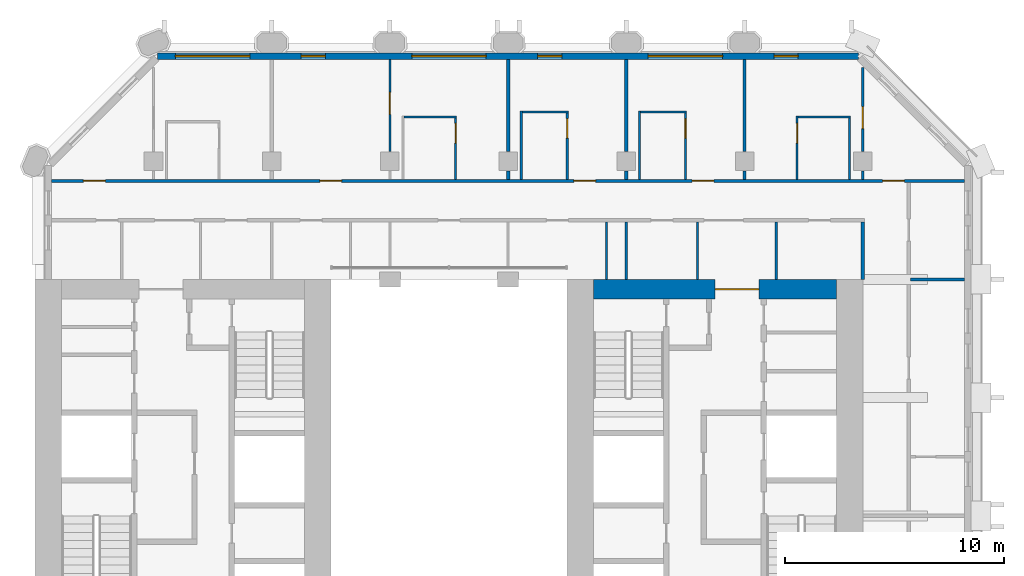
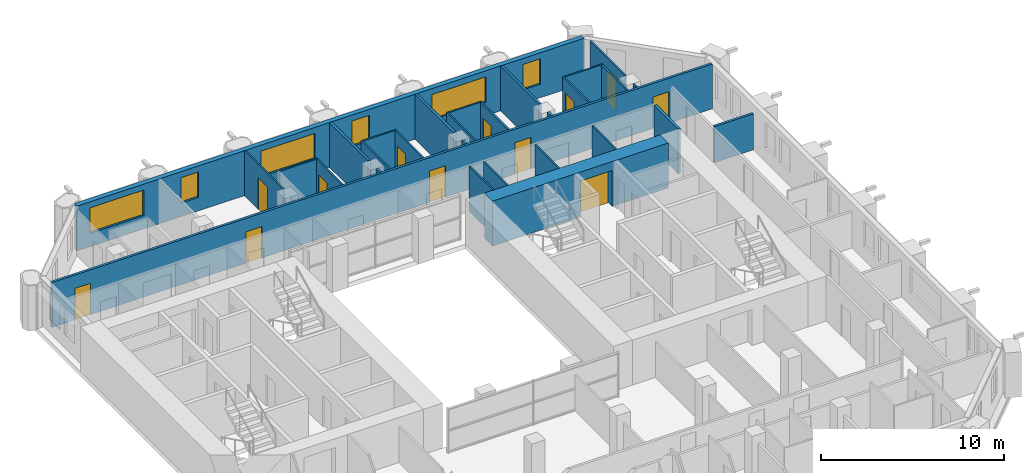
# One storey, part 10 of 13: 29 walls, 12 doors, 6 windows, 18 openings.
"""IFC4 building model written with IfcOpenShell, lengths in metres."""

from ifc_helpers import new_model, si_unit, direction, frame, frame_2d, origin, place, context, subcontext, project, spatial, rectangle, extrude, material, layer, layer_set, type_object, element, fill, save


model = new_model("IFC4")

# Units and contexts
model_context = context("Model", 3, precision=1e-05, world=origin(), true_north=direction((0.0, 1.0)))
body_context = subcontext(model_context, "Body", "Model", "MODEL_VIEW")
ifc_project = project(units=[si_unit("LENGTHUNIT", "METRE"), si_unit("AREAUNIT", "SQUARE_METRE"), si_unit("VOLUMEUNIT", "CUBIC_METRE"), si_unit("PLANEANGLEUNIT", "RADIAN"), si_unit("MASSUNIT", "GRAM", prefix="KILO")], contexts=[model_context])

# Site, building, storey
site_placement = place(None, origin())
site = spatial("IfcSite", under=ifc_project, at=site_placement, CompositionType="ELEMENT")
building_placement = place(site_placement, origin())
building = spatial("IfcBuilding", under=site, at=building_placement, Name="Tabaq Tower and Sports Hall", CompositionType="ELEMENT")
storey_placement = place(building_placement, frame((0.0, 0.0, 162.699951171875)))
storey = spatial("IfcBuildingStorey", under=building, at=storey_placement, Name="L38", CompositionType="ELEMENT", Elevation=162.699951171875)

# Wall, opening, door
ifc_material_1 = material(Name="Concrete C50/60", Category="concrete")
ifc_layer_1 = layer(ifc_material_1, 0.89990234375)
ifc_layer_set_1 = layer_set([ifc_layer_1], Name="Core wall 900 Concrete C50/60")
wall_type_1 = type_object("IfcWallType", Name="Core wall 900 Concrete C50/60", PredefinedType="SOLIDWALL", material=ifc_layer_set_1)
wall_1_placement = place(storey_placement, frame((30.89990234375, 31.949951171875, 0.0), z_axis=(0.0, 0.0, 1.0), x_axis=(1.0, 0.0, 0.0)))
wall_1 = element("IfcWall", 1, at=wall_1_placement, inside=storey, type_object=wall_type_1, Name="Core wall E L38", PredefinedType="SOLIDWALL", context=body_context, shape_type="SweptSolid", body=[
    extrude(rectangle(XDim=11.10009765625, YDim=0.89990234375, at=frame_2d((5.550048828125, 0.0))), origin(), (0.0, 0.0, 1.0), 3.0),
])
opening_1_placement = place(wall_1_placement, frame((5.550048828125, 0.0, 0.0)))
opening_1 = element("IfcOpeningElement", 2, at=opening_1_placement, cuts=wall_1, Name="Opening PD-EL38-02", PredefinedType="OPENING", context=body_context, shape_type="SweptSolid", body=[
    extrude(rectangle(XDim=2.0, YDim=2.39990234375, at=frame_2d((1.0, 1.199951171875))), frame((0.0, 0.449951171875, 0.0), z_axis=(0.0, -1.0, 0.0), x_axis=(1.0, 0.0, 0.0)), (0.0, 0.0, 1.0), 0.89990234375),
])
ifc_material_2 = material(Name="Steel fire door", Category="steel")
door_type_1 = type_object("IfcDoorType", Name="Core entrance door 2000", OperationType="DOUBLE_DOOR_SINGLE_SWING", PredefinedType="DOOR", material=ifc_material_2)
door_1_placement = place(opening_1_placement, origin())
door_1 = element("IfcDoor", 3, at=door_1_placement, inside=storey, type_object=door_type_1, Name="Core entrance north E L38", OperationType="DOUBLE_DOOR_SINGLE_SWING", OverallHeight=2.39990234375, OverallWidth=2.0, PredefinedType="DOOR", context=body_context, shape_type="SweptSolid", body=[
    extrude(rectangle(XDim=2.0, YDim=2.39990234375, at=frame_2d((1.0, 1.199951171875))), frame((0.0, 0.02490234375, 0.0), z_axis=(0.0, -1.0, 0.0), x_axis=(1.0, 0.0, 0.0)), (0.0, 0.0, 1.0), 0.050048828125),
])
fill(opening_1, door_1)

ifc_material_3 = material(Name="Gypsum board on steel studs", Category="steel")
ifc_layer_2 = layer(ifc_material_3, 0.10009765625)
ifc_layer_set_2 = layer_set([ifc_layer_2], Name="Partition 100 Gypsum board")
wall_type_2 = type_object("IfcWallType", Name="Partition 100 Gypsum board", PredefinedType="PARTITIONING", material=ifc_layer_set_2)
wall_2_placement = place(storey_placement, frame((21.60009765625, 42.448974609375, 0.0), z_axis=(0.0, 0.0, 1.0), x_axis=(0.0, -1.0, 0.0)))
wall_2 = element("IfcWall", 4, at=wall_2_placement, inside=storey, type_object=wall_type_2, Name="Partition wall L38", PredefinedType="PARTITIONING", context=body_context, shape_type="SweptSolid", body=[
    extrude(rectangle(XDim=4.203857421875, YDim=0.10009765625, at=frame_2d((2.10205078125, 0.0))), origin(), (0.0, 0.0, 1.0), 3.0),
])
opening_2_placement = place(wall_2_placement, frame((1.507080078125, 0.0, 0.0)))
opening_2 = element("IfcOpeningElement", 5, at=opening_2_placement, cuts=wall_2, Name="Opening L38-030", PredefinedType="OPENING", context=body_context, shape_type="SweptSolid", body=[
    extrude(rectangle(XDim=1.0, YDim=2.10009765625, at=frame_2d((0.5, 1.050048828125))), frame((0.0, 0.050048828125, 0.0), z_axis=(0.0, -1.0, 0.0), x_axis=(1.0, 0.0, 0.0)), (0.0, 0.0, 1.0), 0.10009765625),
])
ifc_material_4 = material(Name="Timber leaf in steel frame", Category="steel")
door_type_2 = type_object("IfcDoorType", Name="Internal door 1000 left hand", OperationType="SINGLE_SWING_LEFT", PredefinedType="DOOR", material=ifc_material_4)
door_2_placement = place(opening_2_placement, origin())
door_2 = element("IfcDoor", 6, at=door_2_placement, inside=storey, type_object=door_type_2, Name="Internal door L38-030", OperationType="SINGLE_SWING_LEFT", OverallHeight=2.10009765625, OverallWidth=1.0, PredefinedType="DOOR", context=body_context, shape_type="SweptSolid", body=[
    extrude(rectangle(XDim=1.0, YDim=2.10009765625, at=frame_2d((0.5, 1.050048828125))), frame((0.0, 0.02490234375, 0.0), z_axis=(0.0, -1.0, 0.0), x_axis=(1.0, 0.0, 0.0)), (0.0, 0.0, 1.0), 0.050048828125),
])
fill(opening_2, door_2)

# Wall
wall_3_placement = place(storey_placement, frame((22.25, 39.824951171875, 0.0), z_axis=(0.0, 0.0, 1.0), x_axis=(1.0, 0.0, 0.0)))
element("IfcWall", 7, at=wall_3_placement, inside=storey, type_object=wall_type_2, Name="Partition wall L38", PredefinedType="PARTITIONING", context=body_context, shape_type="SweptSolid", body=[
    extrude(rectangle(XDim=2.39990234375, YDim=0.10009765625, at=frame_2d((1.199951171875, 0.0))), origin(), (0.0, 0.0, 1.0), 3.0),
])

# Wall, opening, door
wall_4_placement = place(storey_placement, frame((24.60009765625, 39.77490234375, 0.0), z_axis=(0.0, 0.0, 1.0), x_axis=(0.0, -1.0, 0.0)))
wall_4 = element("IfcWall", 8, at=wall_4_placement, inside=storey, type_object=wall_type_2, Name="Partition wall L38", PredefinedType="PARTITIONING", context=body_context, shape_type="SweptSolid", body=[
    extrude(rectangle(XDim=2.7998046875, YDim=0.10009765625, at=frame_2d((1.39990234375, 0.0))), origin(), (0.0, 0.0, 1.0), 3.0),
])
opening_3_placement = place(wall_4_placement, frame((0.25, 0.0, 0.0)))
opening_3 = element("IfcOpeningElement", 9, at=opening_3_placement, cuts=wall_4, Name="Opening L38-003", PredefinedType="OPENING", context=body_context, shape_type="SweptSolid", body=[
    extrude(rectangle(XDim=0.89990234375, YDim=2.10009765625, at=frame_2d((0.449951171875, 1.050048828125))), frame((0.0, 0.050048828125, 0.0), z_axis=(0.0, -1.0, 0.0), x_axis=(1.0, 0.0, 0.0)), (0.0, 0.0, 1.0), 0.10009765625),
])
ifc_material_5 = material(Name="Timber leaf in steel frame", Category="steel")
door_type_3 = type_object("IfcDoorType", Name="Internal door 900 left hand", OperationType="SINGLE_SWING_LEFT", PredefinedType="DOOR", material=ifc_material_5)
door_3_placement = place(opening_3_placement, origin())
door_3 = element("IfcDoor", 10, at=door_3_placement, inside=storey, type_object=door_type_3, Name="Internal door L38-003", OperationType="SINGLE_SWING_LEFT", OverallHeight=2.10009765625, OverallWidth=0.89990234375, PredefinedType="DOOR", context=body_context, shape_type="SweptSolid", body=[
    extrude(rectangle(XDim=0.89990234375, YDim=2.10009765625, at=frame_2d((0.449951171875, 1.050048828125))), frame((0.0, 0.02490234375, 0.0), z_axis=(0.0, -1.0, 0.0), x_axis=(1.0, 0.0, 0.0)), (0.0, 0.0, 1.0), 0.050048828125),
])
fill(opening_3, door_3)

# Walls
wall_5_placement = place(storey_placement, frame((27.60009765625, 36.97509765625, 0.0), z_axis=(0.0, 0.0, 1.0), x_axis=(0.0, 1.0, 0.0)))
element("IfcWall", 11, at=wall_5_placement, inside=storey, type_object=wall_type_2, Name="Partition wall L38", PredefinedType="PARTITIONING", context=body_context, shape_type="SweptSolid", body=[
    extrude(rectangle(XDim=3.125, YDim=0.10009765625, at=frame_2d((1.5625, 0.0))), origin(), (0.0, 0.0, 1.0), 3.0),
])
wall_6_placement = place(storey_placement, frame((27.64990234375, 40.050048828125, 0.0), z_axis=(0.0, 0.0, 1.0), x_axis=(1.0, 0.0, 0.0)))
element("IfcWall", 12, at=wall_6_placement, inside=storey, type_object=wall_type_2, Name="Partition wall L38", PredefinedType="PARTITIONING", context=body_context, shape_type="SweptSolid", body=[
    extrude(rectangle(XDim=2.10009765625, YDim=0.10009765625, at=frame_2d((1.050048828125, 0.0))), origin(), (0.0, 0.0, 1.0), 3.0),
])

# Wall, opening, door
wall_7_placement = place(storey_placement, frame((29.699951171875, 40.0, 0.0), z_axis=(0.0, 0.0, 1.0), x_axis=(0.0, -1.0, 0.0)))
wall_7 = element("IfcWall", 13, at=wall_7_placement, inside=storey, type_object=wall_type_2, Name="Partition wall L38", PredefinedType="PARTITIONING", context=body_context, shape_type="SweptSolid", body=[
    extrude(rectangle(XDim=3.02490234375, YDim=0.10009765625, at=frame_2d((1.512451171875, 0.0))), origin(), (0.0, 0.0, 1.0), 3.0),
])
opening_4_placement = place(wall_7_placement, frame((0.25, 0.0, 0.0)))
opening_4 = element("IfcOpeningElement", 14, at=opening_4_placement, cuts=wall_7, Name="Opening L38-004", PredefinedType="OPENING", context=body_context, shape_type="SweptSolid", body=[
    extrude(rectangle(XDim=0.89990234375, YDim=2.10009765625, at=frame_2d((0.449951171875, 1.050048828125))), frame((0.0, 0.050048828125, 0.0), z_axis=(0.0, -1.0, 0.0), x_axis=(1.0, 0.0, 0.0)), (0.0, 0.0, 1.0), 0.10009765625),
])
ifc_material_6 = material(Name="Timber leaf in steel frame", Category="steel")
door_type_4 = type_object("IfcDoorType", Name="Internal door 900 right hand", OperationType="SINGLE_SWING_RIGHT", PredefinedType="DOOR", material=ifc_material_6)
door_4_placement = place(opening_4_placement, origin())
door_4 = element("IfcDoor", 15, at=door_4_placement, inside=storey, type_object=door_type_4, Name="Internal door L38-004", OperationType="SINGLE_SWING_RIGHT", OverallHeight=2.10009765625, OverallWidth=0.89990234375, PredefinedType="DOOR", context=body_context, shape_type="SweptSolid", body=[
    extrude(rectangle(XDim=0.89990234375, YDim=2.10009765625, at=frame_2d((0.449951171875, 1.050048828125))), frame((0.0, 0.02490234375, 0.0), z_axis=(0.0, -1.0, 0.0), x_axis=(1.0, 0.0, 0.0)), (0.0, 0.0, 1.0), 0.050048828125),
])
fill(opening_4, door_4)

# Walls
wall_8_placement = place(storey_placement, frame((33.0, 36.97509765625, 0.0), z_axis=(0.0, 0.0, 1.0), x_axis=(0.0, 1.0, 0.0)))
element("IfcWall", 16, at=wall_8_placement, inside=storey, type_object=wall_type_2, Name="Partition wall L38", PredefinedType="PARTITIONING", context=body_context, shape_type="SweptSolid", body=[
    extrude(rectangle(XDim=3.125, YDim=0.10009765625, at=frame_2d((1.5625, 0.0))), origin(), (0.0, 0.0, 1.0), 3.0),
])
wall_9_placement = place(storey_placement, frame((33.050048828125, 40.050048828125, 0.0), z_axis=(0.0, 0.0, 1.0), x_axis=(1.0, 0.0, 0.0)))
element("IfcWall", 17, at=wall_9_placement, inside=storey, type_object=wall_type_2, Name="Partition wall L38", PredefinedType="PARTITIONING", context=body_context, shape_type="SweptSolid", body=[
    extrude(rectangle(XDim=2.099853515625, YDim=0.10009765625, at=frame_2d((1.0498046875, 0.0))), origin(), (0.0, 0.0, 1.0), 3.0),
])

# Wall, opening, door
wall_10_placement = place(storey_placement, frame((35.10009765625, 40.0, 0.0), z_axis=(0.0, 0.0, 1.0), x_axis=(0.0, -1.0, 0.0)))
wall_10 = element("IfcWall", 18, at=wall_10_placement, inside=storey, type_object=wall_type_2, Name="Partition wall L38", PredefinedType="PARTITIONING", context=body_context, shape_type="SweptSolid", body=[
    extrude(rectangle(XDim=3.02490234375, YDim=0.10009765625, at=frame_2d((1.512451171875, 0.0))), origin(), (0.0, 0.0, 1.0), 3.0),
])
opening_5_placement = place(wall_10_placement, frame((0.25, 0.0, 0.0)))
opening_5 = element("IfcOpeningElement", 19, at=opening_5_placement, cuts=wall_10, Name="Opening L38-005", PredefinedType="OPENING", context=body_context, shape_type="SweptSolid", body=[
    extrude(rectangle(XDim=0.89990234375, YDim=2.10009765625, at=frame_2d((0.449951171875, 1.050048828125))), frame((0.0, 0.050048828125, 0.0), z_axis=(0.0, -1.0, 0.0), x_axis=(1.0, 0.0, 0.0)), (0.0, 0.0, 1.0), 0.10009765625),
])
door_5_placement = place(opening_5_placement, origin())
door_5 = element("IfcDoor", 20, at=door_5_placement, inside=storey, type_object=door_type_4, Name="Internal door L38-005", OperationType="SINGLE_SWING_RIGHT", OverallHeight=2.10009765625, OverallWidth=0.89990234375, PredefinedType="DOOR", context=body_context, shape_type="SweptSolid", body=[
    extrude(rectangle(XDim=0.89990234375, YDim=2.10009765625, at=frame_2d((0.449951171875, 1.050048828125))), frame((0.0, 0.02490234375, 0.0), z_axis=(0.0, -1.0, 0.0), x_axis=(1.0, 0.0, 0.0)), (0.0, 0.0, 1.0), 0.050048828125),
])
fill(opening_5, door_5)

wall_11_placement = place(storey_placement, frame((40.199951171875, 36.97509765625, 0.0), z_axis=(0.0, 0.0, 1.0), x_axis=(0.0, 1.0, 0.0)))
wall_11 = element("IfcWall", 21, at=wall_11_placement, inside=storey, type_object=wall_type_2, Name="Partition wall L38", PredefinedType="PARTITIONING", context=body_context, shape_type="SweptSolid", body=[
    extrude(rectangle(XDim=2.89990234375, YDim=0.10009765625, at=frame_2d((1.449951171875, 0.0))), origin(), (0.0, 0.0, 1.0), 3.0),
])
opening_6_placement = place(wall_11_placement, frame((1.64990234375, 0.0, 0.0)))
opening_6 = element("IfcOpeningElement", 22, at=opening_6_placement, cuts=wall_11, Name="Opening L38-006", PredefinedType="OPENING", context=body_context, shape_type="SweptSolid", body=[
    extrude(rectangle(XDim=0.89990234375, YDim=2.10009765625, at=frame_2d((0.449951171875, 1.050048828125))), frame((0.0, 0.050048828125, 0.0), z_axis=(0.0, -1.0, 0.0), x_axis=(1.0, 0.0, 0.0)), (0.0, 0.0, 1.0), 0.10009765625),
])
door_6_placement = place(opening_6_placement, origin())
door_6 = element("IfcDoor", 23, at=door_6_placement, inside=storey, type_object=door_type_3, Name="Internal door L38-006", OperationType="SINGLE_SWING_LEFT", OverallHeight=2.10009765625, OverallWidth=0.89990234375, PredefinedType="DOOR", context=body_context, shape_type="SweptSolid", body=[
    extrude(rectangle(XDim=0.89990234375, YDim=2.10009765625, at=frame_2d((0.449951171875, 1.050048828125))), frame((0.0, 0.02490234375, 0.0), z_axis=(0.0, -1.0, 0.0), x_axis=(1.0, 0.0, 0.0)), (0.0, 0.0, 1.0), 0.050048828125),
])
fill(opening_6, door_6)

# Walls
wall_12_placement = place(storey_placement, frame((40.25, 39.824951171875, 0.0), z_axis=(0.0, 0.0, 1.0), x_axis=(1.0, 0.0, 0.0)))
element("IfcWall", 24, at=wall_12_placement, inside=storey, type_object=wall_type_2, Name="Partition wall L38", PredefinedType="PARTITIONING", context=body_context, shape_type="SweptSolid", body=[
    extrude(rectangle(XDim=2.39990234375, YDim=0.10009765625, at=frame_2d((1.199951171875, 0.0))), origin(), (0.0, 0.0, 1.0), 3.0),
])
wall_13_placement = place(storey_placement, frame((42.60009765625, 39.77490234375, 0.0), z_axis=(0.0, 0.0, 1.0), x_axis=(0.0, -1.0, 0.0)))
element("IfcWall", 25, at=wall_13_placement, inside=storey, type_object=wall_type_2, Name="Partition wall L38", PredefinedType="PARTITIONING", context=body_context, shape_type="SweptSolid", body=[
    extrude(rectangle(XDim=2.7998046875, YDim=0.10009765625, at=frame_2d((1.39990234375, 0.0))), origin(), (0.0, 0.0, 1.0), 3.0),
])
wall_14_placement = place(storey_placement, frame((43.199951171875, 36.97509765625, 0.0), z_axis=(0.0, 0.0, 1.0), x_axis=(0.0, 1.0, 0.0)))
element("IfcWall", 26, at=wall_14_placement, inside=storey, type_object=wall_type_2, Name="Partition wall L38", PredefinedType="PARTITIONING", context=body_context, shape_type="SweptSolid", body=[
    extrude(rectangle(XDim=0.3798828125, YDim=0.10009765625, at=frame_2d((0.18994140625, 0.0))), origin(), (0.0, 0.0, 1.0), 3.0),
])

# Wall, opening, door
wall_15_placement = place(storey_placement, frame((43.199951171875, 38.2451171875, 0.0), z_axis=(0.0, 0.0, 1.0), x_axis=(0.0, 1.0, 0.0)))
wall_15 = element("IfcWall", 27, at=wall_15_placement, inside=storey, type_object=wall_type_2, Name="Partition wall L38", PredefinedType="PARTITIONING", context=body_context, shape_type="SweptSolid", body=[
    extrude(rectangle(XDim=3.8427734375, YDim=0.10009765625, at=frame_2d((1.92138671875, 0.0))), origin(), (0.0, 0.0, 1.0), 3.0),
])
opening_7_placement = place(wall_15_placement, frame((1.04248046875, 0.0, 0.0)))
opening_7 = element("IfcOpeningElement", 28, at=opening_7_placement, cuts=wall_15, Name="Opening L38-034", PredefinedType="OPENING", context=body_context, shape_type="SweptSolid", body=[
    extrude(rectangle(XDim=1.0, YDim=2.10009765625, at=frame_2d((0.5, 1.050048828125))), frame((0.0, 0.050048828125, 0.0), z_axis=(0.0, -1.0, 0.0), x_axis=(1.0, 0.0, 0.0)), (0.0, 0.0, 1.0), 0.10009765625),
])
door_7_placement = place(opening_7_placement, origin())
door_7 = element("IfcDoor", 29, at=door_7_placement, inside=storey, type_object=door_type_2, Name="Internal door L38-034", OperationType="SINGLE_SWING_LEFT", OverallHeight=2.10009765625, OverallWidth=1.0, PredefinedType="DOOR", context=body_context, shape_type="SweptSolid", body=[
    extrude(rectangle(XDim=1.0, YDim=2.10009765625, at=frame_2d((0.5, 1.050048828125))), frame((0.0, 0.02490234375, 0.0), z_axis=(0.0, -1.0, 0.0), x_axis=(1.0, 0.0, 0.0)), (0.0, 0.0, 1.0), 0.050048828125),
])
fill(opening_7, door_7)

# Walls
for number, where, z_axis, x_axis, name in (
    (30, (31.5, 32.39990234375, 0.0), (0.0, 0.0, 1.0), (0.0, 1.0, 0.0), "Partition wall L38"),
    (31, (35.64990234375, 35.02490234375, 0.0), (0.0, 0.0, 1.0), (0.0, -1.0, 0.0), "Partition wall L38"),
    (32, (39.25, 32.39990234375, 0.0), (0.0, 0.0, 1.0), (0.0, 1.0, 0.0), "Partition wall L38"),
    (33, (32.39990234375, 35.02490234375, 0.0), (0.0, 0.0, 1.0), (0.0, -1.0, 0.0), "Partition wall L38"),
):
    element("IfcWall", number, at=place(storey_placement, frame(where, z_axis=z_axis, x_axis=x_axis)), inside=storey, type_object=wall_type_2, Name=name, PredefinedType="PARTITIONING", context=body_context, shape_type="SweptSolid", body=[
        extrude(rectangle(XDim=2.625, YDim=0.10009765625, at=frame_2d((1.3125, 0.0))), origin(), (0.0, 0.0, 1.0), 3.0),
    ])
ifc_material_7 = material(Name="Blockwork", Category="masonry")
ifc_layer_3 = layer(ifc_material_7, 0.14990234375)
ifc_layer_set_3 = layer_set([ifc_layer_3], Name="Separating wall 150 Blockwork")
wall_type_3 = type_object("IfcWallType", Name="Separating wall 150 Blockwork", PredefinedType="PARTITIONING", material=ifc_layer_set_3)
wall_16_placement = place(storey_placement, frame((45.375, 32.39990234375, 0.0), z_axis=(0.0, 0.0, 1.0), x_axis=(1.0, 0.0, 0.0)))
element("IfcWall", 34, at=wall_16_placement, inside=storey, type_object=wall_type_3, Name="Separating wall L38", PredefinedType="PARTITIONING", context=body_context, shape_type="SweptSolid", body=[
    extrude(rectangle(XDim=2.47412109375, YDim=0.14990234375, at=frame_2d((1.237060546875, 0.0))), origin(), (0.0, 0.0, 1.0), 2.400146484375),
])
wall_17_placement = place(storey_placement, frame((27.0, 36.97509765625, 0.0), z_axis=(0.0, 0.0, 1.0), x_axis=(0.0, 1.0, 0.0)))
element("IfcWall", 35, at=wall_17_placement, inside=storey, type_object=wall_type_3, Name="Separating wall L38", PredefinedType="PARTITIONING", context=body_context, shape_type="SweptSolid", body=[
    extrude(rectangle(XDim=0.3798828125, YDim=0.14990234375, at=frame_2d((0.18994140625, 0.0))), origin(), (0.0, 0.0, 1.0), 3.0),
])
wall_18_placement = place(storey_placement, frame((27.0, 38.2451171875, 0.0), z_axis=(0.0, 0.0, 1.0), x_axis=(0.0, 1.0, 0.0)))
element("IfcWall", 36, at=wall_18_placement, inside=storey, type_object=wall_type_3, Name="Separating wall L38", PredefinedType="PARTITIONING", context=body_context, shape_type="SweptSolid", body=[
    extrude(rectangle(XDim=4.203857421875, YDim=0.14990234375, at=frame_2d((2.10205078125, 0.0))), origin(), (0.0, 0.0, 1.0), 3.0),
])
wall_19_placement = place(storey_placement, frame((32.39990234375, 36.97509765625, 0.0), z_axis=(0.0, 0.0, 1.0), x_axis=(0.0, 1.0, 0.0)))
element("IfcWall", 37, at=wall_19_placement, inside=storey, type_object=wall_type_3, Name="Separating wall L38", PredefinedType="PARTITIONING", context=body_context, shape_type="SweptSolid", body=[
    extrude(rectangle(XDim=0.3798828125, YDim=0.14990234375, at=frame_2d((0.18994140625, 0.0))), origin(), (0.0, 0.0, 1.0), 3.0),
])
wall_20_placement = place(storey_placement, frame((32.39990234375, 38.2451171875, 0.0), z_axis=(0.0, 0.0, 1.0), x_axis=(0.0, 1.0, 0.0)))
element("IfcWall", 38, at=wall_20_placement, inside=storey, type_object=wall_type_3, Name="Separating wall L38", PredefinedType="PARTITIONING", context=body_context, shape_type="SweptSolid", body=[
    extrude(rectangle(XDim=4.203857421875, YDim=0.14990234375, at=frame_2d((2.10205078125, 0.0))), origin(), (0.0, 0.0, 1.0), 3.0),
])
wall_21_placement = place(storey_placement, frame((37.800048828125, 36.97509765625, 0.0), z_axis=(0.0, 0.0, 1.0), x_axis=(0.0, 1.0, 0.0)))
element("IfcWall", 39, at=wall_21_placement, inside=storey, type_object=wall_type_3, Name="Separating wall L38", PredefinedType="PARTITIONING", context=body_context, shape_type="SweptSolid", body=[
    extrude(rectangle(XDim=0.3798828125, YDim=0.14990234375, at=frame_2d((0.18994140625, 0.0))), origin(), (0.0, 0.0, 1.0), 3.0),
])
wall_22_placement = place(storey_placement, frame((37.800048828125, 38.2451171875, 0.0), z_axis=(0.0, 0.0, 1.0), x_axis=(0.0, 1.0, 0.0)))
element("IfcWall", 40, at=wall_22_placement, inside=storey, type_object=wall_type_3, Name="Separating wall L38", PredefinedType="PARTITIONING", context=body_context, shape_type="SweptSolid", body=[
    extrude(rectangle(XDim=4.203857421875, YDim=0.14990234375, at=frame_2d((2.10205078125, 0.0))), origin(), (0.0, 0.0, 1.0), 3.0),
])

# Wall, openings, doors
wall_23_placement = place(storey_placement, frame((47.84912109375, 36.89990234375, 0.0), z_axis=(0.0, 0.0, 1.0), x_axis=(-1.0, 0.0, 0.0)))
wall_23 = element("IfcWall", 41, at=wall_23_placement, inside=storey, type_object=wall_type_3, Name="Separating wall L38", PredefinedType="PARTITIONING", context=body_context, shape_type="SweptSolid", body=[
    extrude(rectangle(XDim=41.6982421875, YDim=0.14990234375, at=frame_2d((20.84912109375, 0.0))), origin(), (0.0, 0.0, 1.0), 3.0),
])
opening_8_placement = place(wall_23_placement, frame((39.2490234375, 0.0, 0.0)))
opening_8 = element("IfcOpeningElement", 42, at=opening_8_placement, cuts=wall_23, Name="Opening L38-029", PredefinedType="OPENING", context=body_context, shape_type="SweptSolid", body=[
    extrude(rectangle(XDim=1.0, YDim=2.10009765625, at=frame_2d((0.5, 1.050048828125))), frame((0.0, 0.074951171875, 0.0), z_axis=(0.0, -1.0, 0.0), x_axis=(1.0, 0.0, 0.0)), (0.0, 0.0, 1.0), 0.14990234375),
])
opening_9_placement = place(wall_23_placement, frame((28.448974609375, 0.0, 0.0)))
opening_9 = element("IfcOpeningElement", 43, at=opening_9_placement, cuts=wall_23, Name="Opening L38-031", PredefinedType="OPENING", context=body_context, shape_type="SweptSolid", body=[
    extrude(rectangle(XDim=1.0, YDim=2.10009765625, at=frame_2d((0.5, 1.050048828125))), frame((0.0, 0.074951171875, 0.0), z_axis=(0.0, -1.0, 0.0), x_axis=(1.0, 0.0, 0.0)), (0.0, 0.0, 1.0), 0.14990234375),
])
opening_10_placement = place(wall_23_placement, frame((16.84912109375, 0.0, 0.0)))
opening_10 = element("IfcOpeningElement", 44, at=opening_10_placement, cuts=wall_23, Name="Opening L38-032", PredefinedType="OPENING", context=body_context, shape_type="SweptSolid", body=[
    extrude(rectangle(XDim=1.0, YDim=2.10009765625, at=frame_2d((0.5, 1.050048828125))), frame((0.0, 0.074951171875, 0.0), z_axis=(0.0, -1.0, 0.0), x_axis=(1.0, 0.0, 0.0)), (0.0, 0.0, 1.0), 0.14990234375),
])
opening_11_placement = place(wall_23_placement, frame((11.448974609375, 0.0, 0.0)))
opening_11 = element("IfcOpeningElement", 45, at=opening_11_placement, cuts=wall_23, Name="Opening L38-033", PredefinedType="OPENING", context=body_context, shape_type="SweptSolid", body=[
    extrude(rectangle(XDim=1.0, YDim=2.10009765625, at=frame_2d((0.5, 1.050048828125))), frame((0.0, 0.074951171875, 0.0), z_axis=(0.0, -1.0, 0.0), x_axis=(1.0, 0.0, 0.0)), (0.0, 0.0, 1.0), 0.14990234375),
])
opening_12_placement = place(wall_23_placement, frame((2.743896484375, 0.0, 0.0)))
opening_12 = element("IfcOpeningElement", 46, at=opening_12_placement, cuts=wall_23, Name="Opening L38-035", PredefinedType="OPENING", context=body_context, shape_type="SweptSolid", body=[
    extrude(rectangle(XDim=1.0, YDim=2.10009765625, at=frame_2d((0.5, 1.050048828125))), frame((0.0, 0.074951171875, 0.0), z_axis=(0.0, -1.0, 0.0), x_axis=(1.0, 0.0, 0.0)), (0.0, 0.0, 1.0), 0.14990234375),
])
ifc_material_8 = material(Name="Steel fire door", Category="steel")
door_type_5 = type_object("IfcDoorType", Name="Entrance door 1000 left hand", OperationType="SINGLE_SWING_LEFT", PredefinedType="DOOR", material=ifc_material_8)
door_8_placement = place(opening_9_placement, origin())
door_8 = element("IfcDoor", 47, at=door_8_placement, inside=storey, type_object=door_type_5, Name="Entrance door L38-031", OperationType="SINGLE_SWING_LEFT", OverallHeight=2.10009765625, OverallWidth=1.0, PredefinedType="DOOR", context=body_context, shape_type="SweptSolid", body=[
    extrude(rectangle(XDim=1.0, YDim=2.10009765625, at=frame_2d((0.5, 1.050048828125))), frame((0.0, 0.02490234375, 0.0), z_axis=(0.0, -1.0, 0.0), x_axis=(1.0, 0.0, 0.0)), (0.0, 0.0, 1.0), 0.050048828125),
])
fill(opening_9, door_8)
door_9_placement = place(opening_11_placement, origin())
door_9 = element("IfcDoor", 48, at=door_9_placement, inside=storey, type_object=door_type_5, Name="Entrance door L38-033", OperationType="SINGLE_SWING_LEFT", OverallHeight=2.10009765625, OverallWidth=1.0, PredefinedType="DOOR", context=body_context, shape_type="SweptSolid", body=[
    extrude(rectangle(XDim=1.0, YDim=2.10009765625, at=frame_2d((0.5, 1.050048828125))), frame((0.0, 0.02490234375, 0.0), z_axis=(0.0, -1.0, 0.0), x_axis=(1.0, 0.0, 0.0)), (0.0, 0.0, 1.0), 0.050048828125),
])
fill(opening_11, door_9)
ifc_material_9 = material(Name="Steel fire door", Category="steel")
door_type_6 = type_object("IfcDoorType", Name="Entrance door 1000 right hand", OperationType="SINGLE_SWING_RIGHT", PredefinedType="DOOR", material=ifc_material_9)
door_10_placement = place(opening_8_placement, origin())
door_10 = element("IfcDoor", 49, at=door_10_placement, inside=storey, type_object=door_type_6, Name="Entrance door L38-029", OperationType="SINGLE_SWING_RIGHT", OverallHeight=2.10009765625, OverallWidth=1.0, PredefinedType="DOOR", context=body_context, shape_type="SweptSolid", body=[
    extrude(rectangle(XDim=1.0, YDim=2.10009765625, at=frame_2d((0.5, 1.050048828125))), frame((0.0, 0.02490234375, 0.0), z_axis=(0.0, -1.0, 0.0), x_axis=(1.0, 0.0, 0.0)), (0.0, 0.0, 1.0), 0.050048828125),
])
fill(opening_8, door_10)
door_11_placement = place(opening_10_placement, origin())
door_11 = element("IfcDoor", 50, at=door_11_placement, inside=storey, type_object=door_type_6, Name="Entrance door L38-032", OperationType="SINGLE_SWING_RIGHT", OverallHeight=2.10009765625, OverallWidth=1.0, PredefinedType="DOOR", context=body_context, shape_type="SweptSolid", body=[
    extrude(rectangle(XDim=1.0, YDim=2.10009765625, at=frame_2d((0.5, 1.050048828125))), frame((0.0, 0.02490234375, 0.0), z_axis=(0.0, -1.0, 0.0), x_axis=(1.0, 0.0, 0.0)), (0.0, 0.0, 1.0), 0.050048828125),
])
fill(opening_10, door_11)
door_12_placement = place(opening_12_placement, origin())
door_12 = element("IfcDoor", 51, at=door_12_placement, inside=storey, type_object=door_type_6, Name="Entrance door L38-035", OperationType="SINGLE_SWING_RIGHT", OverallHeight=2.10009765625, OverallWidth=1.0, PredefinedType="DOOR", context=body_context, shape_type="SweptSolid", body=[
    extrude(rectangle(XDim=1.0, YDim=2.10009765625, at=frame_2d((0.5, 1.050048828125))), frame((0.0, 0.02490234375, 0.0), z_axis=(0.0, -1.0, 0.0), x_axis=(1.0, 0.0, 0.0)), (0.0, 0.0, 1.0), 0.050048828125),
])
fill(opening_12, door_12)

# Wall
wall_24_placement = place(storey_placement, frame((43.199951171875, 35.02490234375, 0.0), z_axis=(0.0, 0.0, 1.0), x_axis=(0.0, -1.0, 0.0)))
element("IfcWall", 52, at=wall_24_placement, inside=storey, type_object=wall_type_3, Name="Separating wall L38", PredefinedType="PARTITIONING", context=body_context, shape_type="SweptSolid", body=[
    extrude(rectangle(XDim=2.625, YDim=0.14990234375, at=frame_2d((1.3125, 0.0))), origin(), (0.0, 0.0, 1.0), 3.0),
])

# Wall, openings, windows
ifc_material_10 = material(Name="White precast concrete C60/75", Category="concrete")
ifc_layer_4 = layer(ifc_material_10, 0.300048828125)
ifc_layer_set_4 = layer_set([ifc_layer_4], Name="White precast concrete C60/75 external wall 300")
wall_type_4 = type_object("IfcWallType", Name="White precast concrete C60/75 external wall 300", PredefinedType="SOLIDWALL", material=ifc_layer_set_4)
wall_25_placement = place(storey_placement, frame((43.013671875, 42.60009765625, 0.0), z_axis=(0.0, 0.0, 1.0), x_axis=(-1.0, 0.0, 0.0)))
wall_25 = element("IfcWall", 53, at=wall_25_placement, inside=storey, type_object=wall_type_4, Name="External Wall L38 N", PredefinedType="SOLIDWALL", context=body_context, shape_type="SweptSolid", body=[
    extrude(rectangle(XDim=32.02734375, YDim=0.300048828125, at=frame_2d((16.013671875, 0.0))), origin(), (0.0, 0.0, 1.0), 3.0),
])
opening_13_placement = place(wall_25_placement, frame((2.763671875, 0.0, 0.89990234375)))
opening_13 = element("IfcOpeningElement", 54, at=opening_13_placement, cuts=wall_25, Name="Opening W1B", PredefinedType="OPENING", context=body_context, shape_type="SweptSolid", body=[
    extrude(rectangle(XDim=1.10009765625, YDim=1.699951171875, at=frame_2d((0.550048828125, 0.85009765625))), frame((0.0, 0.16015625, 0.0), z_axis=(0.0, -1.0, 0.0), x_axis=(1.0, 0.0, 0.0)), (0.0, 0.0, 1.0), 0.320068359375),
])
opening_14_placement = place(wall_25_placement, frame((6.213623046875, 0.0, 0.89990234375)))
opening_14 = element("IfcOpeningElement", 55, at=opening_14_placement, cuts=wall_25, Name="Opening W1A", PredefinedType="OPENING", context=body_context, shape_type="SweptSolid", body=[
    extrude(rectangle(XDim=3.39990234375, YDim=1.699951171875, at=frame_2d((1.699951171875, 0.85009765625))), frame((0.0, 0.16015625, 0.0), z_axis=(0.0, -1.0, 0.0), x_axis=(1.0, 0.0, 0.0)), (0.0, 0.0, 1.0), 0.320068359375),
])
opening_15_placement = place(wall_25_placement, frame((13.563720703125, 0.0, 0.89990234375)))
opening_15 = element("IfcOpeningElement", 56, at=opening_15_placement, cuts=wall_25, Name="Opening W1B", PredefinedType="OPENING", context=body_context, shape_type="SweptSolid", body=[
    extrude(rectangle(XDim=1.10009765625, YDim=1.699951171875, at=frame_2d((0.550048828125, 0.85009765625))), frame((0.0, 0.16015625, 0.0), z_axis=(0.0, -1.0, 0.0), x_axis=(1.0, 0.0, 0.0)), (0.0, 0.0, 1.0), 0.320068359375),
])
opening_16_placement = place(wall_25_placement, frame((17.013671875, 0.0, 0.89990234375)))
opening_16 = element("IfcOpeningElement", 57, at=opening_16_placement, cuts=wall_25, Name="Opening W1A", PredefinedType="OPENING", context=body_context, shape_type="SweptSolid", body=[
    extrude(rectangle(XDim=3.39990234375, YDim=1.699951171875, at=frame_2d((1.699951171875, 0.85009765625))), frame((0.0, 0.16015625, 0.0), z_axis=(0.0, -1.0, 0.0), x_axis=(1.0, 0.0, 0.0)), (0.0, 0.0, 1.0), 0.320068359375),
])
opening_17_placement = place(wall_25_placement, frame((24.363525390625, 0.0, 0.89990234375)))
opening_17 = element("IfcOpeningElement", 58, at=opening_17_placement, cuts=wall_25, Name="Opening W1B", PredefinedType="OPENING", context=body_context, shape_type="SweptSolid", body=[
    extrude(rectangle(XDim=1.10009765625, YDim=1.699951171875, at=frame_2d((0.550048828125, 0.85009765625))), frame((0.0, 0.16015625, 0.0), z_axis=(0.0, -1.0, 0.0), x_axis=(1.0, 0.0, 0.0)), (0.0, 0.0, 1.0), 0.320068359375),
])
opening_18_placement = place(wall_25_placement, frame((27.813720703125, 0.0, 0.89990234375)))
opening_18 = element("IfcOpeningElement", 59, at=opening_18_placement, cuts=wall_25, Name="Opening W1A", PredefinedType="OPENING", context=body_context, shape_type="SweptSolid", body=[
    extrude(rectangle(XDim=3.39990234375, YDim=1.699951171875, at=frame_2d((1.699951171875, 0.85009765625))), frame((0.0, 0.16015625, 0.0), z_axis=(0.0, -1.0, 0.0), x_axis=(1.0, 0.0, 0.0)), (0.0, 0.0, 1.0), 0.320068359375),
])
ifc_material_11 = material(Name="Aluminium framed clear glazing", Category="aluminium")
window_type_1 = type_object("IfcWindowType", Name="Window W1A", PartitioningType="SINGLE_PANEL", PredefinedType="WINDOW", material=ifc_material_11)
window_1_placement = place(opening_14_placement, origin())
window_1 = element("IfcWindow", 60, at=window_1_placement, inside=storey, type_object=window_type_1, Name="Window W1A L38", OverallHeight=1.699951171875, OverallWidth=3.39990234375, PartitioningType="SINGLE_PANEL", PredefinedType="WINDOW", context=body_context, shape_type="SweptSolid", body=[
    extrude(rectangle(XDim=3.39990234375, YDim=1.699951171875, at=frame_2d((1.699951171875, 0.85009765625))), frame((0.0, 0.030029296875, 0.0), z_axis=(0.0, -1.0, 0.0), x_axis=(1.0, 0.0, 0.0)), (0.0, 0.0, 1.0), 0.06005859375),
])
fill(opening_14, window_1)
window_2_placement = place(opening_16_placement, origin())
window_2 = element("IfcWindow", 61, at=window_2_placement, inside=storey, type_object=window_type_1, Name="Window W1A L38", OverallHeight=1.699951171875, OverallWidth=3.39990234375, PartitioningType="SINGLE_PANEL", PredefinedType="WINDOW", context=body_context, shape_type="SweptSolid", body=[
    extrude(rectangle(XDim=3.39990234375, YDim=1.699951171875, at=frame_2d((1.699951171875, 0.85009765625))), frame((0.0, 0.030029296875, 0.0), z_axis=(0.0, -1.0, 0.0), x_axis=(1.0, 0.0, 0.0)), (0.0, 0.0, 1.0), 0.06005859375),
])
fill(opening_16, window_2)
window_3_placement = place(opening_18_placement, origin())
window_3 = element("IfcWindow", 62, at=window_3_placement, inside=storey, type_object=window_type_1, Name="Window W1A L38", OverallHeight=1.699951171875, OverallWidth=3.39990234375, PartitioningType="SINGLE_PANEL", PredefinedType="WINDOW", context=body_context, shape_type="SweptSolid", body=[
    extrude(rectangle(XDim=3.39990234375, YDim=1.699951171875, at=frame_2d((1.699951171875, 0.85009765625))), frame((0.0, 0.030029296875, 0.0), z_axis=(0.0, -1.0, 0.0), x_axis=(1.0, 0.0, 0.0)), (0.0, 0.0, 1.0), 0.06005859375),
])
fill(opening_18, window_3)
ifc_material_12 = material(Name="Aluminium framed clear glazing", Category="aluminium")
window_type_2 = type_object("IfcWindowType", Name="Window W1B", PartitioningType="SINGLE_PANEL", PredefinedType="WINDOW", material=ifc_material_12)
window_4_placement = place(opening_13_placement, origin())
window_4 = element("IfcWindow", 63, at=window_4_placement, inside=storey, type_object=window_type_2, Name="Window W1B L38", OverallHeight=1.699951171875, OverallWidth=1.10009765625, PartitioningType="SINGLE_PANEL", PredefinedType="WINDOW", context=body_context, shape_type="SweptSolid", body=[
    extrude(rectangle(XDim=1.10009765625, YDim=1.699951171875, at=frame_2d((0.550048828125, 0.85009765625))), frame((0.0, 0.030029296875, 0.0), z_axis=(0.0, -1.0, 0.0), x_axis=(1.0, 0.0, 0.0)), (0.0, 0.0, 1.0), 0.06005859375),
])
fill(opening_13, window_4)
window_5_placement = place(opening_15_placement, origin())
window_5 = element("IfcWindow", 64, at=window_5_placement, inside=storey, type_object=window_type_2, Name="Window W1B L38", OverallHeight=1.699951171875, OverallWidth=1.10009765625, PartitioningType="SINGLE_PANEL", PredefinedType="WINDOW", context=body_context, shape_type="SweptSolid", body=[
    extrude(rectangle(XDim=1.10009765625, YDim=1.699951171875, at=frame_2d((0.550048828125, 0.85009765625))), frame((0.0, 0.030029296875, 0.0), z_axis=(0.0, -1.0, 0.0), x_axis=(1.0, 0.0, 0.0)), (0.0, 0.0, 1.0), 0.06005859375),
])
fill(opening_15, window_5)
window_6_placement = place(opening_17_placement, origin())
window_6 = element("IfcWindow", 65, at=window_6_placement, inside=storey, type_object=window_type_2, Name="Window W1B L38", OverallHeight=1.699951171875, OverallWidth=1.10009765625, PartitioningType="SINGLE_PANEL", PredefinedType="WINDOW", context=body_context, shape_type="SweptSolid", body=[
    extrude(rectangle(XDim=1.10009765625, YDim=1.699951171875, at=frame_2d((0.550048828125, 0.85009765625))), frame((0.0, 0.030029296875, 0.0), z_axis=(0.0, -1.0, 0.0), x_axis=(1.0, 0.0, 0.0)), (0.0, 0.0, 1.0), 0.06005859375),
])
fill(opening_17, window_6)

save(model, "model.ifc")
